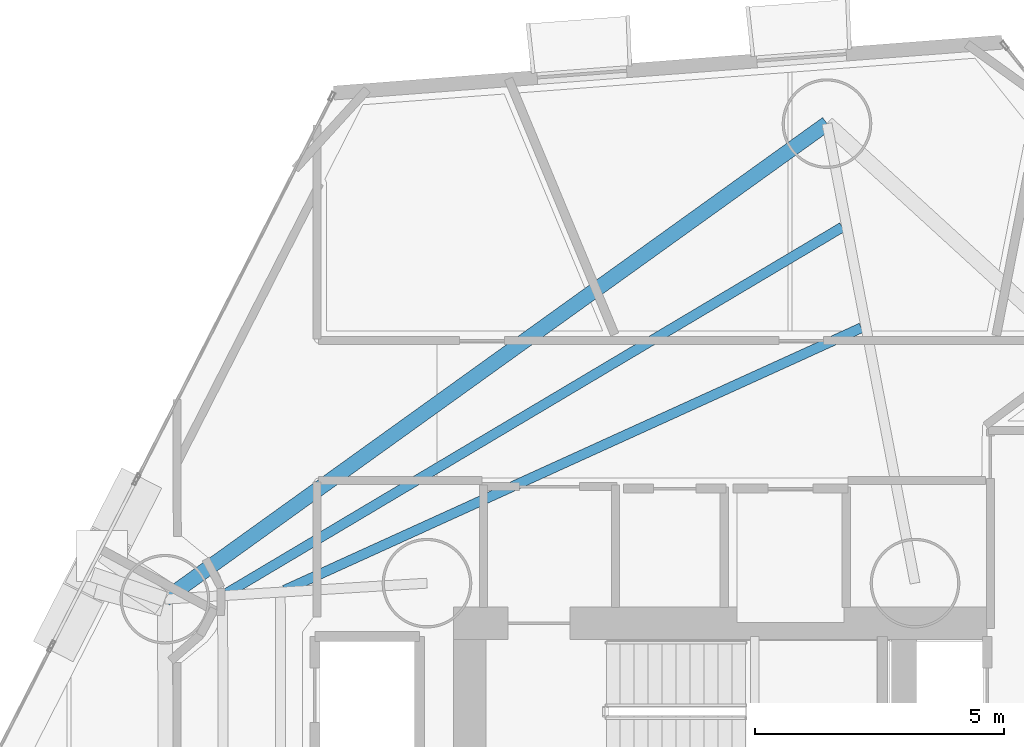
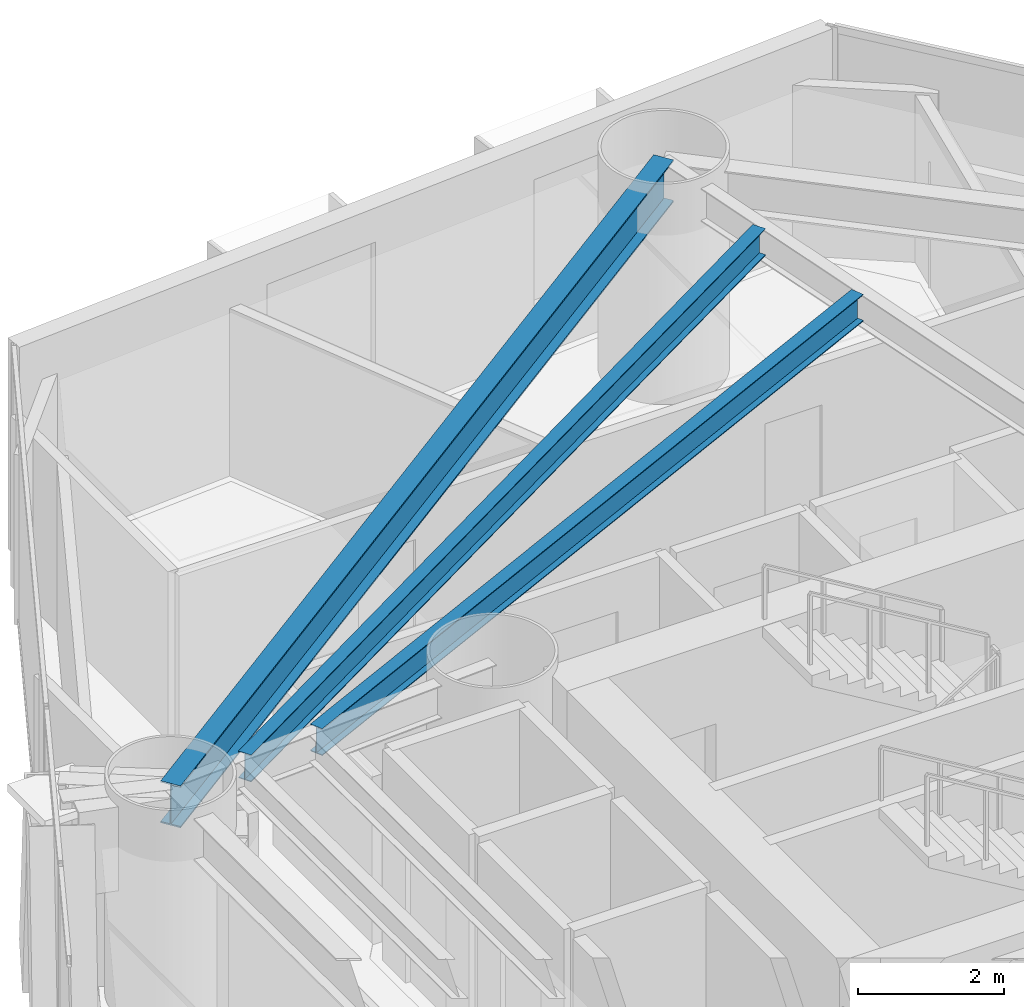
# One storey, part 8 of 23: 3 beams.
"""IFC4 building model written with IfcOpenShell, lengths in metres."""

from ifc_helpers import new_model, si_unit, direction, frame, origin, origin_2d, place, context, subcontext, project, spatial, i_section, extrude, material, material_profile, profile_set, type_object, element, save


model = new_model("IFC4")

# Units and contexts
model_context = context("Model", 3, precision=1e-05, world=origin(), true_north=direction((0.0, 1.0)))
body_context = subcontext(model_context, "Body", "Model", "MODEL_VIEW")
ifc_project = project(units=[si_unit("LENGTHUNIT", "METRE"), si_unit("AREAUNIT", "SQUARE_METRE"), si_unit("VOLUMEUNIT", "CUBIC_METRE"), si_unit("PLANEANGLEUNIT", "RADIAN"), si_unit("MASSUNIT", "GRAM", prefix="KILO")], contexts=[model_context])

# Site, building, storey
site_placement = place(None, origin())
site = spatial("IfcSite", under=ifc_project, at=site_placement, CompositionType="ELEMENT")
building_placement = place(site_placement, origin())
building = spatial("IfcBuilding", under=site, at=building_placement, Name="Qianvela Tower", CompositionType="ELEMENT")
storey_placement = place(building_placement, frame((0.0, 0.0, 36.800048828125)))
storey = spatial("IfcBuildingStorey", under=building, at=storey_placement, Name="L08", CompositionType="ELEMENT", Elevation=36.800048828125)

# Beams
ifc_material_1 = material(Name="Steel Q355B", Category="steel")
ifc_material_profile_1 = material_profile(ifc_material_1, i_section(OverallWidth=0.199951171875, OverallDepth=0.449951171875, WebThickness=0.009033203125, FlangeThickness=0.013916015625, at=origin_2d()), Name="HN450x200x9x14")
ifc_profile_set_1 = profile_set([ifc_material_profile_1], Name="Steel Q355B")
beam_type_1 = type_object("IfcBeamType", Name="BM-HN450-JOIST", PredefinedType="JOIST", material=ifc_profile_set_1)
beam_1_placement = place(storey_placement, frame((37.322509765625, 38.677978515625, 3.29296875), z_axis=(-0.910244872328, -0.414070371315, 0.0), x_axis=(0.414070371315, -0.910244872328, 0.0)))
element("IfcBeam", 1, at=beam_1_placement, inside=storey, type_object=beam_type_1, Name="L08 Secondary Composite Floor Joist 3.2", PredefinedType="JOIST", context=body_context, shape_type="SweptSolid", body=[
    extrude(i_section(OverallWidth=0.199951171875, OverallDepth=0.449951171875, WebThickness=0.009033203125, FlangeThickness=0.013916015625, at=origin_2d()), origin(), (0.0, 0.0, 1.0), 12.723876953125),
])
beam_2_placement = place(storey_placement, frame((36.9384765625, 40.69873046875, 3.29296875), z_axis=(-0.859492146952, -0.511148950237, 0.0), x_axis=(0.511148950237, -0.859492146952, 0.0)))
element("IfcBeam", 2, at=beam_2_placement, inside=storey, type_object=beam_type_1, Name="L08 Secondary Composite Floor Joist 3.3", PredefinedType="JOIST", context=body_context, shape_type="SweptSolid", body=[
    extrude(i_section(OverallWidth=0.199951171875, OverallDepth=0.449951171875, WebThickness=0.009033203125, FlangeThickness=0.013916015625, at=origin_2d()), origin(), (0.0, 0.0, 1.0), 14.381103515625),
])
ifc_material_2 = material(Name="Steel Q355B", Category="steel")
ifc_material_profile_2 = material_profile(ifc_material_2, i_section(OverallWidth=0.300048828125, OverallDepth=0.699951171875, WebThickness=0.012939453125, FlangeThickness=0.02392578125, at=origin_2d()), Name="HN700x300x13x24")
ifc_profile_set_2 = profile_set([ifc_material_profile_2], Name="Steel Q355B")
beam_type_2 = type_object("IfcBeamType", Name="BM-HN700-SPAND", PredefinedType="SPANDREL", material=ifc_profile_set_2)
beam_3_placement = place(storey_placement, frame((36.632080078125, 42.778076171875, 3.16796875), z_axis=(-0.812164446449, -0.583428583397, 0.0), x_axis=(0.583428583397, -0.812164446449, 0.0)))
element("IfcBeam", 3, at=beam_3_placement, inside=storey, type_object=beam_type_2, Name="L08 Perimeter Ring Spandrel Girder 3", PredefinedType="SPANDREL", context=body_context, shape_type="SweptSolid", body=[
    extrude(i_section(OverallWidth=0.300048828125, OverallDepth=0.699951171875, WebThickness=0.012939453125, FlangeThickness=0.02392578125, at=origin_2d()), origin(), (0.0, 0.0, 1.0), 16.368896484375),
])

save(model, "model.ifc")
